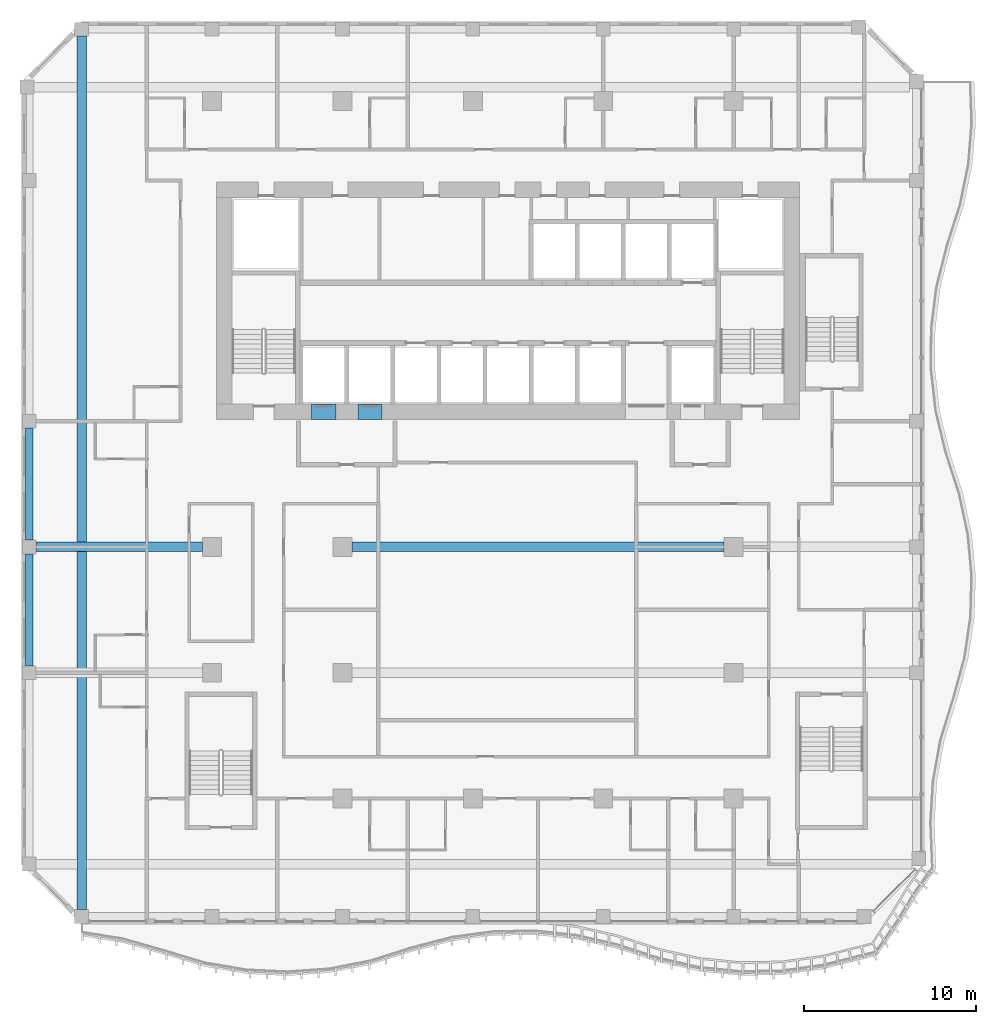
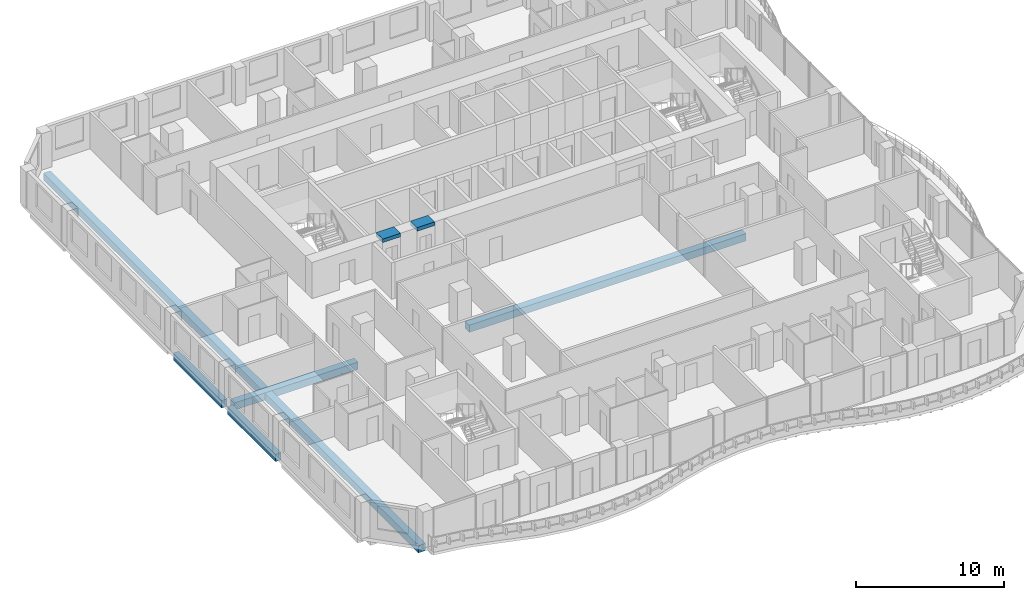
# One storey, part 5 of 23: 7 beams.
"""IFC4 building model written with IfcOpenShell, lengths in metres."""

from ifc_helpers import new_model, si_unit, direction, frame, origin, origin_2d, place, context, subcontext, project, spatial, rectangle, extrude, source, transform, mapped, material, material_profile, profile_set, type_object, element, save


model = new_model("IFC4")

# Units and contexts
model_context = context("Model", 3, precision=1e-05, world=origin(), true_north=direction((0.0, 1.0)))
body_context = subcontext(model_context, "Body", "Model", "MODEL_VIEW")
ifc_project = project(units=[si_unit("LENGTHUNIT", "METRE"), si_unit("AREAUNIT", "SQUARE_METRE"), si_unit("VOLUMEUNIT", "CUBIC_METRE"), si_unit("PLANEANGLEUNIT", "RADIAN"), si_unit("MASSUNIT", "GRAM", prefix="KILO")], contexts=[model_context])

# Site, building, storey
site_placement = place(None, origin())
site = spatial("IfcSite", under=ifc_project, at=site_placement, CompositionType="ELEMENT")
building_placement = place(site_placement, origin())
building = spatial("IfcBuilding", under=site, at=building_placement, Name="Kilnfold Tower and Market Hall", CompositionType="ELEMENT")
storey_placement = place(building_placement, frame((0.0, 0.0, 160.89990234375)))
storey = spatial("IfcBuildingStorey", under=building, at=storey_placement, Name="L37", CompositionType="ELEMENT", Elevation=160.89990234375)

# Beams
ifc_material_1 = material(Name="Concrete C45", Category="concrete")
ifc_material_profile_1 = material_profile(ifc_material_1, rectangle(XDim=0.550048828125, YDim=0.60009765625, at=origin_2d()), Name="RC 550x600")
ifc_profile_set_1 = profile_set([ifc_material_profile_1], Name="Concrete C45")
beam_type_1 = type_object("IfcBeamType", Name="BEAM 550X600 C45", PredefinedType="BEAM", material=ifc_profile_set_1)
shared_shape_1 = source(origin(), body_context, "Body", "SweptSolid", [
    extrude(rectangle(XDim=0.550048828125, YDim=0.60009765625, at=origin_2d()), origin(), (0.0, 0.0, 1.0), 9.68310546875),
])
beam_1_placement = place(storey_placement, frame((-26.39990234375, 0.68994140625, -0.579833984375), z_axis=(1.0, 0.0, 0.0), x_axis=(0.0, 1.0, 0.0)))
element("IfcBeam", 1, at=beam_1_placement, inside=storey, type_object=beam_type_1, Name="Beam BB600-B4.85", PredefinedType="BEAM", context=body_context, shape_type="MappedRepresentation", body=[
    mapped(shared_shape_1, transform((0.0, 0.0, 0.0))),
])
ifc_material_2 = material(Name="Concrete C45", Category="concrete")
ifc_material_profile_2 = material_profile(ifc_material_2, rectangle(XDim=0.449951171875, YDim=0.60009765625, at=origin_2d()), Name="RC 450x600")
ifc_profile_set_2 = profile_set([ifc_material_profile_2], Name="Concrete C45")
beam_type_2 = type_object("IfcBeamType", Name="EDGE BEAM 450X600 C45", PredefinedType="BEAM", material=ifc_profile_set_2)
shared_shape_2 = source(origin(), body_context, "Body", "SweptSolid", [
    extrude(rectangle(XDim=0.449951171875, YDim=0.60009765625, at=origin_2d()), origin(), (0.0, 0.0, 1.0), 6.5126953125),
])
for number, where, z_axis, x_axis, name in (
    (2, (-26.800048828125, -6.22509765625, -0.579833984375), (0.0, 1.0, 0.0), (-1.0, 0.0, 0.0), "Beam EB600-B4.95"),
    (3, (-26.800048828125, 1.08740234375, -0.579833984375), (0.0, 1.0, 0.0), (-1.0, 0.0, 0.0), "Beam EB600-B4.96"),
):
    element("IfcBeam", number, at=place(storey_placement, frame(where, z_axis=z_axis, x_axis=x_axis)), inside=storey, type_object=beam_type_2, Name=name, PredefinedType="BEAM", context=body_context, shape_type="MappedRepresentation", body=[
        mapped(shared_shape_2, transform((0.0, 0.0, 0.0))),
    ])
shared_shape_3 = source(origin(), body_context, "Body", "SweptSolid", [
    extrude(rectangle(XDim=0.550048828125, YDim=0.60009765625, at=origin_2d()), origin(), (0.0, 0.0, 1.0), 50.7998046875),
])
beam_2_placement = place(storey_placement, frame((-23.75, -20.39990234375, -0.579833984375), z_axis=(0.0, 1.0, 0.0), x_axis=(-1.0, 0.0, 0.0)))
element("IfcBeam", 4, at=beam_2_placement, inside=storey, type_object=beam_type_1, Name="Beam BB600-B4.99", PredefinedType="BEAM", context=body_context, shape_type="MappedRepresentation", body=[
    mapped(shared_shape_3, transform((0.0, 0.0, 0.0))),
])
shared_shape_4 = source(origin(), body_context, "Body", "SweptSolid", [
    extrude(rectangle(XDim=0.550048828125, YDim=0.60009765625, at=origin_2d()), origin(), (0.0, 0.0, 1.0), 21.64990234375),
])
beam_3_placement = place(storey_placement, frame((-8.033203125, 0.68994140625, -0.579833984375), z_axis=(1.0, 0.0, 0.0), x_axis=(0.0, 1.0, 0.0)))
element("IfcBeam", 5, at=beam_3_placement, inside=storey, type_object=beam_type_1, Name="Beam BB600-B4.106", PredefinedType="BEAM", context=body_context, shape_type="MappedRepresentation", body=[
    mapped(shared_shape_4, transform((0.0, 0.0, 0.0))),
])
ifc_material_3 = material(Name="Concrete C70", Category="concrete")
ifc_material_profile_3 = material_profile(ifc_material_3, rectangle(XDim=0.89990234375, YDim=0.300048828125, at=origin_2d()), Name="RC 900x300")
ifc_profile_set_3 = profile_set([ifc_material_profile_3], Name="Concrete C70")
beam_type_3 = type_object("IfcBeamType", Name="COUPLING BEAM 900X300 C70", PredefinedType="BEAM", material=ifc_profile_set_3)
shared_shape_5 = source(origin(), body_context, "Body", "SweptSolid", [
    extrude(rectangle(XDim=0.89990234375, YDim=0.300048828125, at=origin_2d()), origin(), (0.0, 0.0, 1.0), 1.400146484375),
])
beam_4_placement = place(storey_placement, frame((-10.3701171875, 8.550048828125, 2.85009765625), z_axis=(1.0, 0.0, 0.0), x_axis=(0.0, 1.0, 0.0)))
element("IfcBeam", 6, at=beam_4_placement, inside=storey, type_object=beam_type_3, Name="Coupling beam CB300-70-CORE.37", PredefinedType="BEAM", context=body_context, shape_type="MappedRepresentation", body=[
    mapped(shared_shape_5, transform((0.0, 0.0, 0.0))),
])
shared_shape_6 = source(origin(), body_context, "Body", "SweptSolid", [
    extrude(rectangle(XDim=0.89990234375, YDim=0.300048828125, at=origin_2d()), origin(), (0.0, 0.0, 1.0), 1.39990234375),
])
beam_5_placement = place(storey_placement, frame((-7.68994140625, 8.550048828125, 2.85009765625), z_axis=(1.0, 0.0, 0.0), x_axis=(0.0, 1.0, 0.0)))
element("IfcBeam", 7, at=beam_5_placement, inside=storey, type_object=beam_type_3, Name="Coupling beam CB300-70-CORE.38", PredefinedType="BEAM", context=body_context, shape_type="MappedRepresentation", body=[
    mapped(shared_shape_6, transform((0.0, 0.0, 0.0))),
])

save(model, "model.ifc")
